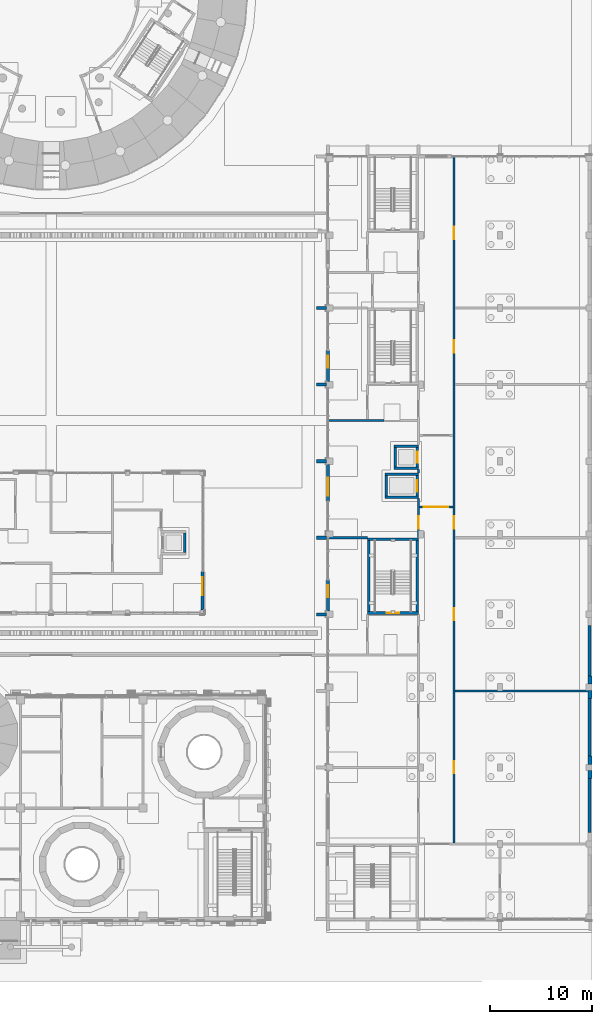
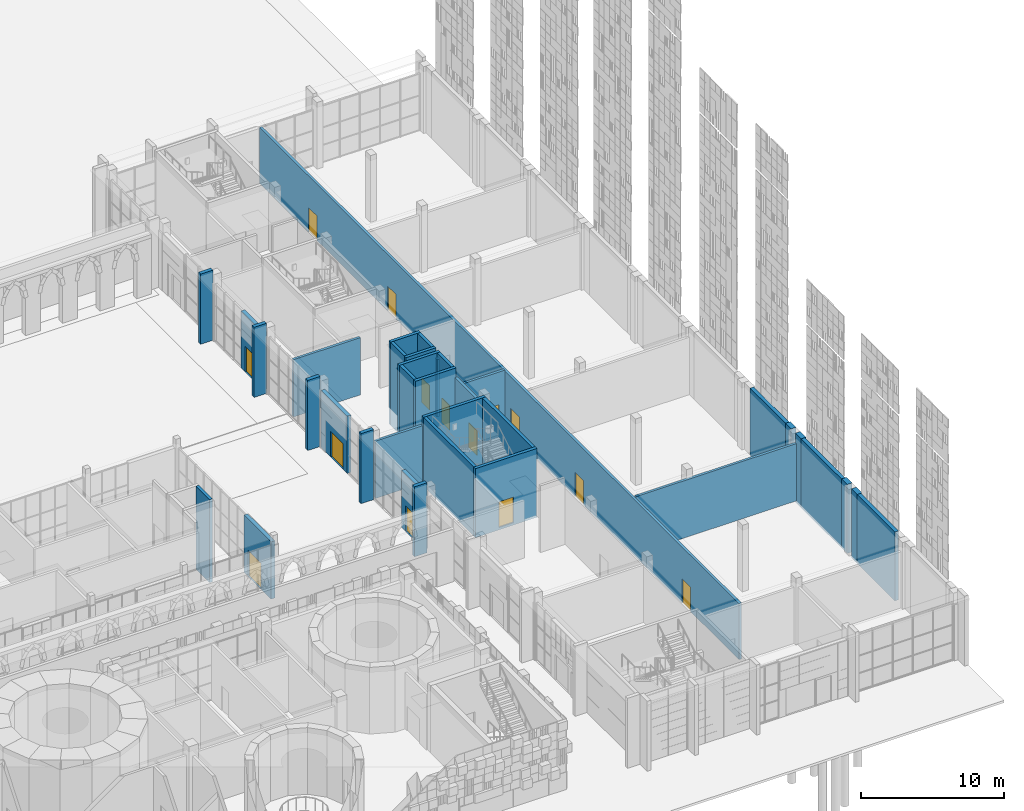
# One storey, part 54 of 125: 36 walls, 14 doors, 14 openings.
"""IFC4 building model written with IfcOpenShell, lengths in metres."""

from ifc_helpers import new_model, si_unit, direction, frame, frame_2d, origin, place, context, subcontext, project, spatial, rectangle, extrude, material, layer, layer_set, type_object, element, fill, save


model = new_model("IFC4")

# Units and contexts
model_context = context("Model", 3, precision=1e-05, world=origin(), true_north=direction((0.0, 1.0)))
body_context = subcontext(model_context, "Body", "Model", "MODEL_VIEW")
ifc_project = project(units=[si_unit("LENGTHUNIT", "METRE"), si_unit("AREAUNIT", "SQUARE_METRE"), si_unit("VOLUMEUNIT", "CUBIC_METRE"), si_unit("PLANEANGLEUNIT", "RADIAN"), si_unit("MASSUNIT", "GRAM", prefix="KILO")], contexts=[model_context])

# Site, building, storey
site_placement = place(None, origin())
site = spatial("IfcSite", under=ifc_project, at=site_placement, CompositionType="ELEMENT")
building_placement = place(site_placement, origin())
building = spatial("IfcBuilding", under=site, at=building_placement, Name="Sun Court Science Centre", CompositionType="ELEMENT")
storey_placement = place(building_placement, origin())
storey = spatial("IfcBuildingStorey", under=building, at=storey_placement, Name="L00", CompositionType="ELEMENT", Elevation=0.0)

# Wall, opening, door
ifc_material_1 = material(Name="Clay masonry", Category="masonry")
ifc_layer_1 = layer(ifc_material_1, 0.300048828125)
ifc_layer_set_1 = layer_set([ifc_layer_1], Name="Clay masonry")
wall_type_1 = type_object("IfcWallType", Name="Clay masonry infill wall 300", PredefinedType="SOLIDWALL", material=ifc_layer_set_1)
wall_1_placement = place(storey_placement, frame((78.14990234375, 36.300048828125, 0.0), z_axis=(0.0, 0.0, 1.0), x_axis=(0.0, 1.0, 0.0)))
wall_1 = element("IfcWall", 1, at=wall_1_placement, inside=storey, type_object=wall_type_1, Name="External infill wall L00 west face 03", PredefinedType="SOLIDWALL", context=body_context, shape_type="SweptSolid", body=[
    extrude(rectangle(XDim=3.10986328125, YDim=0.300048828125, at=frame_2d((1.554931640625, 0.0))), origin(), (0.0, 0.0, 1.0), 4.89990234375),
])
opening_1_placement = place(wall_1_placement, frame((1.35009765625, 0.0, 0.0)))
opening_1 = element("IfcOpeningElement", 2, at=opening_1_placement, cuts=wall_1, Name="Opening D-L00-064", PredefinedType="OPENING", context=body_context, shape_type="SweptSolid", body=[
    extrude(rectangle(XDim=1.199951171875, YDim=2.199951171875, at=frame_2d((0.60009765625, 1.10009765625))), frame((0.0, 0.159912109375, 0.0), z_axis=(0.0, -1.0, 0.0), x_axis=(1.0, 0.0, 0.0)), (0.0, 0.0, 1.0), 0.320068359375),
])
ifc_material_2 = material(Name="Steel and glass", Category="steel")
door_type_1 = type_object("IfcDoorType", Name="Exterior door 1200 x 2200 single", OperationType="SINGLE_SWING_LEFT", PredefinedType="DOOR", material=ifc_material_2)
door_1_placement = place(opening_1_placement, origin())
door_1 = element("IfcDoor", 3, at=door_1_placement, inside=storey, type_object=door_type_1, Name="Exterior door D-L00-064 to the sun court", OperationType="SINGLE_SWING_LEFT", OverallHeight=2.199951171875, OverallWidth=1.199951171875, PredefinedType="DOOR", context=body_context, shape_type="SweptSolid", body=[
    extrude(rectangle(XDim=1.199951171875, YDim=2.199951171875, at=frame_2d((0.60009765625, 1.10009765625))), frame((0.0, 0.02490234375, 0.0), z_axis=(0.0, -1.0, 0.0), x_axis=(1.0, 0.0, 0.0)), (0.0, 0.0, 1.0), 0.050048828125),
])
fill(opening_1, door_1)

wall_2_placement = place(storey_placement, frame((78.14990234375, 47.0400390625, 0.0), z_axis=(0.0, 0.0, 1.0), x_axis=(0.0, 1.0, 0.0)))
wall_2 = element("IfcWall", 4, at=wall_2_placement, inside=storey, type_object=wall_type_1, Name="External infill wall L00 west face 04", PredefinedType="SOLIDWALL", context=body_context, shape_type="SweptSolid", body=[
    extrude(rectangle(XDim=3.659912109375, YDim=0.300048828125, at=frame_2d((1.830078125, 0.0))), origin(), (0.0, 0.0, 1.0), 4.89990234375),
])
opening_2_placement = place(wall_2_placement, frame((0.56005859375, 0.0, 0.0)))
opening_2 = element("IfcOpeningElement", 5, at=opening_2_placement, cuts=wall_2, Name="Opening D-L00-063", PredefinedType="OPENING", context=body_context, shape_type="SweptSolid", body=[
    extrude(rectangle(XDim=1.800048828125, YDim=2.199951171875, at=frame_2d((0.89990234375, 1.10009765625))), frame((0.0, 0.159912109375, 0.0), z_axis=(0.0, -1.0, 0.0), x_axis=(1.0, 0.0, 0.0)), (0.0, 0.0, 1.0), 0.320068359375),
])
ifc_material_3 = material(Name="Steel and glass", Category="steel")
door_type_2 = type_object("IfcDoorType", Name="Exterior door 1800 x 2200 double", OperationType="DOUBLE_DOOR_SINGLE_SWING", PredefinedType="DOOR", material=ifc_material_3)
door_2_placement = place(opening_2_placement, origin())
door_2 = element("IfcDoor", 6, at=door_2_placement, inside=storey, type_object=door_type_2, Name="Exterior door D-L00-063 to the sun court", OperationType="SINGLE_SWING_LEFT", OverallHeight=2.199951171875, OverallWidth=1.800048828125, PredefinedType="DOOR", context=body_context, shape_type="SweptSolid", body=[
    extrude(rectangle(XDim=1.800048828125, YDim=2.199951171875, at=frame_2d((0.89990234375, 1.10009765625))), frame((0.0, 0.02490234375, 0.0), z_axis=(0.0, -1.0, 0.0), x_axis=(1.0, 0.0, 0.0)), (0.0, 0.0, 1.0), 0.050048828125),
])
fill(opening_2, door_2)

wall_3_placement = place(storey_placement, frame((78.14990234375, 58.800048828125, 0.0), z_axis=(0.0, 0.0, 1.0), x_axis=(0.0, 1.0, 0.0)))
wall_3 = element("IfcWall", 7, at=wall_3_placement, inside=storey, type_object=wall_type_1, Name="External infill wall L00 west face 05", PredefinedType="SOLIDWALL", context=body_context, shape_type="SweptSolid", body=[
    extrude(rectangle(XDim=3.10986328125, YDim=0.300048828125, at=frame_2d((1.554931640625, 0.0))), origin(), (0.0, 0.0, 1.0), 4.89990234375),
])
opening_3_placement = place(wall_3_placement, frame((1.35009765625, 0.0, 0.0)))
opening_3 = element("IfcOpeningElement", 8, at=opening_3_placement, cuts=wall_3, Name="Opening D-L00-065", PredefinedType="OPENING", context=body_context, shape_type="SweptSolid", body=[
    extrude(rectangle(XDim=1.199951171875, YDim=2.199951171875, at=frame_2d((0.60009765625, 1.10009765625))), frame((0.0, 0.159912109375, 0.0), z_axis=(0.0, -1.0, 0.0), x_axis=(1.0, 0.0, 0.0)), (0.0, 0.0, 1.0), 0.320068359375),
])
door_3_placement = place(opening_3_placement, origin())
door_3 = element("IfcDoor", 9, at=door_3_placement, inside=storey, type_object=door_type_1, Name="Exterior door D-L00-065 to the sun court", OperationType="SINGLE_SWING_LEFT", OverallHeight=2.199951171875, OverallWidth=1.199951171875, PredefinedType="DOOR", context=body_context, shape_type="SweptSolid", body=[
    extrude(rectangle(XDim=1.199951171875, YDim=2.199951171875, at=frame_2d((0.60009765625, 1.10009765625))), frame((0.0, 0.02490234375, 0.0), z_axis=(0.0, -1.0, 0.0), x_axis=(1.0, 0.0, 0.0)), (0.0, 0.0, 1.0), 0.050048828125),
])
fill(opening_3, door_3)

wall_4_placement = place(storey_placement, frame((65.85009765625, 40.2099609375, 0.0), z_axis=(0.0, 0.0, 1.0), x_axis=(0.0, -1.0, 0.0)))
wall_4 = element("IfcWall", 10, at=wall_4_placement, inside=storey, type_object=wall_type_1, Name="External infill wall L00 east face 01", PredefinedType="SOLIDWALL", context=body_context, shape_type="SweptSolid", body=[
    extrude(rectangle(XDim=3.81005859375, YDim=0.300048828125, at=frame_2d((1.905029296875, 0.0))), origin(), (0.0, 0.0, 1.0), 4.89990234375),
])
opening_4_placement = place(wall_4_placement, frame((0.56005859375, 0.0, 0.0)))
opening_4 = element("IfcOpeningElement", 11, at=opening_4_placement, cuts=wall_4, Name="Opening D-L00-109", PredefinedType="OPENING", context=body_context, shape_type="SweptSolid", body=[
    extrude(rectangle(XDim=1.800048828125, YDim=2.199951171875, at=frame_2d((0.89990234375, 1.10009765625))), frame((0.0, 0.159912109375, 0.0), z_axis=(0.0, -1.0, 0.0), x_axis=(1.0, 0.0, 0.0)), (0.0, 0.0, 1.0), 0.320068359375),
])
door_4_placement = place(opening_4_placement, origin())
door_4 = element("IfcDoor", 12, at=door_4_placement, inside=storey, type_object=door_type_2, Name="Exterior door D-L00-109 to the sun court", OperationType="SINGLE_SWING_LEFT", OverallHeight=2.199951171875, OverallWidth=1.800048828125, PredefinedType="DOOR", context=body_context, shape_type="SweptSolid", body=[
    extrude(rectangle(XDim=1.800048828125, YDim=2.199951171875, at=frame_2d((0.89990234375, 1.10009765625))), frame((0.0, 0.02490234375, 0.0), z_axis=(0.0, -1.0, 0.0), x_axis=(1.0, 0.0, 0.0)), (0.0, 0.0, 1.0), 0.050048828125),
])
fill(opening_4, door_4)

# Walls
ifc_material_4 = material(Name="Concrete C30/37", Category="concrete")
ifc_layer_2 = layer(ifc_material_4, 0.300048828125)
ifc_layer_set_2 = layer_set([ifc_layer_2], Name="Concrete C30/37")
wall_type_2 = type_object("IfcWallType", Name="Facade fin RC 300", PredefinedType="SOLIDWALL", material=ifc_layer_set_2)
for number, where, z_axis, x_axis, name in (
    (13, (77.0, 36.0, 0.0), (0.0, 0.0, 1.0), (1.0, 0.0, 0.0), "Facade fin 05 L00"),
    (14, (77.0, 43.5, 0.0), (0.0, 0.0, 1.0), (1.0, 0.0, 0.0), "Facade fin 06 L00"),
    (15, (77.0, 51.0, 0.0), (0.0, 0.0, 1.0), (1.0, 0.0, 0.0), "Facade fin 07 L00"),
    (16, (77.0, 58.5, 0.0), (0.0, 0.0, 1.0), (1.0, 0.0, 0.0), "Facade fin 08 L00"),
    (17, (77.0, 66.0, 0.0), (0.0, 0.0, 1.0), (1.0, 0.0, 0.0), "Facade fin 09 L00"),
):
    element("IfcWall", number, at=place(storey_placement, frame(where, z_axis=z_axis, x_axis=x_axis)), inside=storey, type_object=wall_type_2, Name=name, PredefinedType="SOLIDWALL", context=body_context, shape_type="SweptSolid", body=[
        extrude(rectangle(XDim=1.0, YDim=0.300048828125, at=frame_2d((0.5, 0.0))), origin(), (0.0, 0.0, 1.0), 6.0),
    ])
ifc_material_5 = material(Name="Concrete block", Category="concrete")
ifc_layer_3 = layer(ifc_material_5, 0.199951171875)
ifc_layer_set_3 = layer_set([ifc_layer_3], Name="Concrete block")
wall_type_3 = type_object("IfcWallType", Name="Partition 200 block EI60", PredefinedType="PARTITIONING", material=ifc_layer_set_3)
wall_5_placement = place(storey_placement, frame((78.199951171875, 43.5, 0.0), z_axis=(0.0, 0.0, 1.0), x_axis=(1.0, 0.0, 0.0)))
element("IfcWall", 18, at=wall_5_placement, inside=storey, type_object=wall_type_3, Name="L00 partition 006", PredefinedType="PARTITIONING", context=body_context, shape_type="SweptSolid", body=[
    extrude(rectangle(XDim=3.798095703125, YDim=0.199951171875, at=frame_2d((1.89892578125, 0.0))), origin(), (0.0, 0.0, 1.0), 4.89990234375),
])
wall_6_placement = place(storey_placement, frame((78.199951171875, 55.0, 0.0), z_axis=(0.0, 0.0, 1.0), x_axis=(1.0, 0.0, 0.0)))
element("IfcWall", 19, at=wall_6_placement, inside=storey, type_object=wall_type_3, Name="L00 partition 010", PredefinedType="PARTITIONING", context=body_context, shape_type="SweptSolid", body=[
    extrude(rectangle(XDim=5.400146484375, YDim=0.199951171875, at=frame_2d((2.7001953125, 0.0))), origin(), (0.0, 0.0, 1.0), 4.89990234375),
])
wall_7_placement = place(storey_placement, frame((87.0, 49.85205078125, 0.0), z_axis=(0.0, 0.0, 1.0), x_axis=(0.0, 1.0, 0.0)))
element("IfcWall", 20, at=wall_7_placement, inside=storey, type_object=wall_type_3, Name="L00 partition 021", PredefinedType="PARTITIONING", context=body_context, shape_type="SweptSolid", body=[
    extrude(rectangle(XDim=0.33349609375, YDim=0.199951171875, at=frame_2d((0.166748046875, 0.0))), origin(), (0.0, 0.0, 1.0), 4.89990234375),
])

# Wall, opening, door
ifc_material_6 = material(Name="Concrete block", Category="concrete")
ifc_layer_4 = layer(ifc_material_6, 0.199951171875)
ifc_layer_set_4 = layer_set([ifc_layer_4], Name="Concrete block")
wall_type_4 = type_object("IfcWallType", Name="Partition 200 corridor block EI120", PredefinedType="PARTITIONING", material=ifc_layer_set_4)
wall_8_placement = place(storey_placement, frame((90.39990234375, 46.5, 0.0), z_axis=(0.0, 0.0, 1.0), x_axis=(-1.0, 0.0, 0.0)))
wall_8 = element("IfcWall", 21, at=wall_8_placement, inside=storey, type_object=wall_type_4, Name="L00 partition 008", PredefinedType="PARTITIONING", context=body_context, shape_type="SweptSolid", body=[
    extrude(rectangle(XDim=3.2998046875, YDim=0.199951171875, at=frame_2d((1.64990234375, 0.0))), origin(), (0.0, 0.0, 1.0), 4.89990234375),
])
opening_5_placement = place(wall_8_placement, frame((0.47705078125, 0.0, 0.0)))
opening_5 = element("IfcOpeningElement", 22, at=opening_5_placement, cuts=wall_8, Name="Opening D-L00-035", PredefinedType="OPENING", context=body_context, shape_type="SweptSolid", body=[
    extrude(rectangle(XDim=2.39990234375, YDim=2.10009765625, at=frame_2d((1.199951171875, 1.050048828125))), frame((0.0, 0.10986328125, 0.0), z_axis=(0.0, -1.0, 0.0), x_axis=(1.0, 0.0, 0.0)), (0.0, 0.0, 1.0), 0.219970703125),
])
ifc_material_7 = material(Name="Steel", Category="steel")
door_type_3 = type_object("IfcDoorType", Name="Door 2400x2100 double leaf FD60", OperationType="DOUBLE_DOOR_SINGLE_SWING", PredefinedType="DOOR", material=ifc_material_7)
door_5_placement = place(opening_5_placement, origin())
door_5 = element("IfcDoor", 23, at=door_5_placement, inside=storey, type_object=door_type_3, Name="Door D-L00-035", OperationType="DOUBLE_DOOR_SINGLE_SWING", OverallHeight=2.10009765625, OverallWidth=2.39990234375, PredefinedType="DOOR", context=body_context, shape_type="SweptSolid", body=[
    extrude(rectangle(XDim=2.39990234375, YDim=2.10009765625, at=frame_2d((1.199951171875, 1.050048828125))), frame((0.0, 0.02490234375, 0.0), z_axis=(0.0, -1.0, 0.0), x_axis=(1.0, 0.0, 0.0)), (0.0, 0.0, 1.0), 0.050048828125),
])
fill(opening_5, door_5)

# Wall, openings, doors
wall_9_placement = place(storey_placement, frame((90.5, 80.800048828125, 0.0), z_axis=(0.0, 0.0, 1.0), x_axis=(0.0, -1.0, 0.0)))
wall_9 = element("IfcWall", 24, at=wall_9_placement, inside=storey, type_object=wall_type_4, Name="L00 partition 018", PredefinedType="PARTITIONING", context=body_context, shape_type="SweptSolid", body=[
    extrude(rectangle(XDim=67.199951171875, YDim=0.199951171875, at=frame_2d((33.60009765625, 0.0))), origin(), (0.0, 0.0, 1.0), 4.800048828125),
])
opening_6_placement = place(wall_9_placement, frame((59.199951171875, 0.0, 0.0)))
opening_6 = element("IfcOpeningElement", 25, at=opening_6_placement, cuts=wall_9, Name="Opening D-L00-052", PredefinedType="OPENING", context=body_context, shape_type="SweptSolid", body=[
    extrude(rectangle(XDim=1.199951171875, YDim=2.10009765625, at=frame_2d((0.60009765625, 1.050048828125))), frame((0.0, 0.10986328125, 0.0), z_axis=(0.0, -1.0, 0.0), x_axis=(1.0, 0.0, 0.0)), (0.0, 0.0, 1.0), 0.219970703125),
])
opening_7_placement = place(wall_9_placement, frame((44.199951171875, 0.0, 0.0)))
opening_7 = element("IfcOpeningElement", 26, at=opening_7_placement, cuts=wall_9, Name="Opening D-L00-053", PredefinedType="OPENING", context=body_context, shape_type="SweptSolid", body=[
    extrude(rectangle(XDim=1.199951171875, YDim=2.10009765625, at=frame_2d((0.60009765625, 1.050048828125))), frame((0.0, 0.10986328125, 0.0), z_axis=(0.0, -1.0, 0.0), x_axis=(1.0, 0.0, 0.0)), (0.0, 0.0, 1.0), 0.219970703125),
])
opening_8_placement = place(wall_9_placement, frame((35.198974609375, 0.0, 0.0)))
opening_8 = element("IfcOpeningElement", 27, at=opening_8_placement, cuts=wall_9, Name="Opening D-L00-054", PredefinedType="OPENING", context=body_context, shape_type="SweptSolid", body=[
    extrude(rectangle(XDim=1.199951171875, YDim=2.10009765625, at=frame_2d((0.60009765625, 1.050048828125))), frame((0.0, 0.10986328125, 0.0), z_axis=(0.0, -1.0, 0.0), x_axis=(1.0, 0.0, 0.0)), (0.0, 0.0, 1.0), 0.219970703125),
])
opening_9_placement = place(wall_9_placement, frame((17.949951171875, 0.0, 0.0)))
opening_9 = element("IfcOpeningElement", 28, at=opening_9_placement, cuts=wall_9, Name="Opening D-L00-055", PredefinedType="OPENING", context=body_context, shape_type="SweptSolid", body=[
    extrude(rectangle(XDim=1.199951171875, YDim=2.10009765625, at=frame_2d((0.60009765625, 1.050048828125))), frame((0.0, 0.10986328125, 0.0), z_axis=(0.0, -1.0, 0.0), x_axis=(1.0, 0.0, 0.0)), (0.0, 0.0, 1.0), 0.219970703125),
])
opening_10_placement = place(wall_9_placement, frame((6.824951171875, 0.0, 0.0)))
opening_10 = element("IfcOpeningElement", 29, at=opening_10_placement, cuts=wall_9, Name="Opening D-L00-056", PredefinedType="OPENING", context=body_context, shape_type="SweptSolid", body=[
    extrude(rectangle(XDim=1.199951171875, YDim=2.10009765625, at=frame_2d((0.60009765625, 1.050048828125))), frame((0.0, 0.10986328125, 0.0), z_axis=(0.0, -1.0, 0.0), x_axis=(1.0, 0.0, 0.0)), (0.0, 0.0, 1.0), 0.219970703125),
])
ifc_material_8 = material(Name="Steel", Category="steel")
door_type_4 = type_object("IfcDoorType", Name="Door 1200x2100 single leaf FD60", OperationType="NOTDEFINED", PredefinedType="DOOR", material=ifc_material_8)
door_6_placement = place(opening_6_placement, origin())
door_6 = element("IfcDoor", 30, at=door_6_placement, inside=storey, type_object=door_type_4, Name="Door D-L00-052", OperationType="SINGLE_SWING_LEFT", OverallHeight=2.10009765625, OverallWidth=1.199951171875, PredefinedType="DOOR", context=body_context, shape_type="SweptSolid", body=[
    extrude(rectangle(XDim=1.199951171875, YDim=2.10009765625, at=frame_2d((0.60009765625, 1.050048828125))), frame((0.0, 0.02490234375, 0.0), z_axis=(0.0, -1.0, 0.0), x_axis=(1.0, 0.0, 0.0)), (0.0, 0.0, 1.0), 0.050048828125),
])
fill(opening_6, door_6)
door_7_placement = place(opening_7_placement, origin())
door_7 = element("IfcDoor", 31, at=door_7_placement, inside=storey, type_object=door_type_4, Name="Door D-L00-053", OperationType="SINGLE_SWING_LEFT", OverallHeight=2.10009765625, OverallWidth=1.199951171875, PredefinedType="DOOR", context=body_context, shape_type="SweptSolid", body=[
    extrude(rectangle(XDim=1.199951171875, YDim=2.10009765625, at=frame_2d((0.60009765625, 1.050048828125))), frame((0.0, 0.02490234375, 0.0), z_axis=(0.0, -1.0, 0.0), x_axis=(1.0, 0.0, 0.0)), (0.0, 0.0, 1.0), 0.050048828125),
])
fill(opening_7, door_7)
door_8_placement = place(opening_8_placement, origin())
door_8 = element("IfcDoor", 32, at=door_8_placement, inside=storey, type_object=door_type_4, Name="Door D-L00-054", OperationType="SINGLE_SWING_LEFT", OverallHeight=2.10009765625, OverallWidth=1.199951171875, PredefinedType="DOOR", context=body_context, shape_type="SweptSolid", body=[
    extrude(rectangle(XDim=1.199951171875, YDim=2.10009765625, at=frame_2d((0.60009765625, 1.050048828125))), frame((0.0, 0.02490234375, 0.0), z_axis=(0.0, -1.0, 0.0), x_axis=(1.0, 0.0, 0.0)), (0.0, 0.0, 1.0), 0.050048828125),
])
fill(opening_8, door_8)
door_9_placement = place(opening_9_placement, origin())
door_9 = element("IfcDoor", 33, at=door_9_placement, inside=storey, type_object=door_type_4, Name="Door D-L00-055", OperationType="SINGLE_SWING_RIGHT", OverallHeight=2.10009765625, OverallWidth=1.199951171875, PredefinedType="DOOR", context=body_context, shape_type="SweptSolid", body=[
    extrude(rectangle(XDim=1.199951171875, YDim=2.10009765625, at=frame_2d((0.60009765625, 1.050048828125))), frame((0.0, 0.02490234375, 0.0), z_axis=(0.0, -1.0, 0.0), x_axis=(1.0, 0.0, 0.0)), (0.0, 0.0, 1.0), 0.050048828125),
])
fill(opening_9, door_9)
door_10_placement = place(opening_10_placement, origin())
door_10 = element("IfcDoor", 34, at=door_10_placement, inside=storey, type_object=door_type_4, Name="Door D-L00-056", OperationType="SINGLE_SWING_RIGHT", OverallHeight=2.10009765625, OverallWidth=1.199951171875, PredefinedType="DOOR", context=body_context, shape_type="SweptSolid", body=[
    extrude(rectangle(XDim=1.199951171875, YDim=2.10009765625, at=frame_2d((0.60009765625, 1.050048828125))), frame((0.0, 0.02490234375, 0.0), z_axis=(0.0, -1.0, 0.0), x_axis=(1.0, 0.0, 0.0)), (0.0, 0.0, 1.0), 0.050048828125),
])
fill(opening_10, door_10)

# Wall, opening, door
wall_10_placement = place(storey_placement, frame((87.0, 43.501953125, 0.0), z_axis=(0.0, 0.0, 1.0), x_axis=(0.0, 1.0, 0.0)))
wall_10 = element("IfcWall", 35, at=wall_10_placement, inside=storey, type_object=wall_type_4, Name="L00 partition 020", PredefinedType="PARTITIONING", context=body_context, shape_type="SweptSolid", body=[
    extrude(rectangle(XDim=3.845947265625, YDim=0.199951171875, at=frame_2d((1.9228515625, 0.0))), origin(), (0.0, 0.0, 1.0), 4.89990234375),
])
opening_11_placement = place(wall_10_placement, frame((0.89892578125, 0.0, 0.0)))
opening_11 = element("IfcOpeningElement", 36, at=opening_11_placement, cuts=wall_10, Name="Opening D-L00-047", PredefinedType="OPENING", context=body_context, shape_type="SweptSolid", body=[
    extrude(rectangle(XDim=1.199951171875, YDim=2.10009765625, at=frame_2d((0.60009765625, 1.050048828125))), frame((0.0, 0.10986328125, 0.0), z_axis=(0.0, -1.0, 0.0), x_axis=(1.0, 0.0, 0.0)), (0.0, 0.0, 1.0), 0.219970703125),
])
door_11_placement = place(opening_11_placement, origin())
door_11 = element("IfcDoor", 37, at=door_11_placement, inside=storey, type_object=door_type_4, Name="Door D-L00-047", OperationType="SINGLE_SWING_RIGHT", OverallHeight=2.10009765625, OverallWidth=1.199951171875, PredefinedType="DOOR", context=body_context, shape_type="SweptSolid", body=[
    extrude(rectangle(XDim=1.199951171875, YDim=2.10009765625, at=frame_2d((0.60009765625, 1.050048828125))), frame((0.0, 0.02490234375, 0.0), z_axis=(0.0, -1.0, 0.0), x_axis=(1.0, 0.0, 0.0)), (0.0, 0.0, 1.0), 0.050048828125),
])
fill(opening_11, door_11)

# Walls
ifc_material_9 = material(Name="Gypsum board")
ifc_layer_5 = layer(ifc_material_9, 0.199951171875)
ifc_layer_set_5 = layer_set([ifc_layer_5], Name="Gypsum board")
wall_type_5 = type_object("IfcWallType", Name="Partition 200 stud EI30", PredefinedType="PARTITIONING", material=ifc_layer_set_5)
wall_11_placement = place(storey_placement, frame((90.60009765625, 28.5, 0.0), z_axis=(0.0, 0.0, 1.0), x_axis=(1.0, 0.0, 0.0)))
element("IfcWall", 38, at=wall_11_placement, inside=storey, type_object=wall_type_5, Name="L00 partition 003", PredefinedType="PARTITIONING", context=body_context, shape_type="SweptSolid", body=[
    extrude(rectangle(XDim=12.997802734375, YDim=0.199951171875, at=frame_2d((6.4990234375, 0.0))), origin(), (0.0, 0.0, 1.0), 4.89990234375),
])
ifc_material_10 = material(Name="Concrete C30/37", Category="concrete")
ifc_layer_6 = layer(ifc_material_10, 0.39990234375)
ifc_layer_set_6 = layer_set([ifc_layer_6], Name="Concrete C30/37")
wall_type_6 = type_object("IfcWallType", Name="RC party wall exterior 400", PredefinedType="SOLIDWALL", material=ifc_layer_set_6)
for number, where, z_axis, x_axis, name in (
    (39, (103.800048828125, 19.89990234375, -0.199951171875), (0.0, 0.0, 1.0), (0.0, 1.0, 0.0), "East party wall L00"),
    (40, (103.800048828125, 21.300048828125, -0.199951171875), (0.0, 0.0, 1.0), (0.0, 1.0, 0.0), "East party wall L00"),
    (41, (103.800048828125, 27.75, -0.199951171875), (0.0, 0.0, 1.0), (0.0, 1.0, 0.0), "East party wall L00"),
    (42, (103.800048828125, 29.14990234375, -0.199951171875), (0.0, 0.0, 1.0), (0.0, 1.0, 0.0), "East party wall L00"),
):
    element("IfcWall", number, at=place(storey_placement, frame(where, z_axis=z_axis, x_axis=x_axis)), inside=storey, type_object=wall_type_6, Name=name, PredefinedType="SOLIDWALL", context=body_context, shape_type="SweptSolid", body=[
        extrude(rectangle(XDim=0.800048828125, YDim=0.39990234375, at=frame_2d((0.39990234375, 0.0))), origin(), (0.0, 0.0, 1.0), 5.89990234375),
    ])
ifc_material_11 = material(Name="Concrete C30/37", Category="concrete")
ifc_layer_7 = layer(ifc_material_11, 0.300048828125)
ifc_layer_set_7 = layer_set([ifc_layer_7], Name="Concrete C30/37")
wall_type_7 = type_object("IfcWallType", Name="RC party wall panel exterior 300", PredefinedType="SOLIDWALL", material=ifc_layer_set_7)
wall_12_placement = place(storey_placement, frame((103.75, 14.60009765625, -0.199951171875), z_axis=(0.0, 0.0, 1.0), x_axis=(0.0, 1.0, 0.0)))
element("IfcWall", 43, at=wall_12_placement, inside=storey, type_object=wall_type_7, Name="East party wall L00 panel", PredefinedType="SOLIDWALL", context=body_context, shape_type="SweptSolid", body=[
    extrude(rectangle(XDim=5.2998046875, YDim=0.300048828125, at=frame_2d((2.64990234375, 0.0))), origin(), (0.0, 0.0, 1.0), 5.89990234375),
])
wall_13_placement = place(storey_placement, frame((103.75, 22.10009765625, -0.199951171875), z_axis=(0.0, 0.0, 1.0), x_axis=(0.0, 1.0, 0.0)))
element("IfcWall", 44, at=wall_13_placement, inside=storey, type_object=wall_type_7, Name="East party wall L00 panel", PredefinedType="SOLIDWALL", context=body_context, shape_type="SweptSolid", body=[
    extrude(rectangle(XDim=5.64990234375, YDim=0.300048828125, at=frame_2d((2.824951171875, 0.0))), origin(), (0.0, 0.0, 1.0), 5.89990234375),
])
wall_14_placement = place(storey_placement, frame((103.75, 29.949951171875, -0.199951171875), z_axis=(0.0, 0.0, 1.0), x_axis=(0.0, 1.0, 0.0)))
element("IfcWall", 45, at=wall_14_placement, inside=storey, type_object=wall_type_7, Name="East party wall L00 panel", PredefinedType="SOLIDWALL", context=body_context, shape_type="SweptSolid", body=[
    extrude(rectangle(XDim=4.949951171875, YDim=0.300048828125, at=frame_2d((2.47509765625, 0.0))), origin(), (0.0, 0.0, 1.0), 5.89990234375),
])
ifc_material_12 = material(Name="Concrete C30/37", Category="concrete")
ifc_layer_8 = layer(ifc_material_12, 0.25)
ifc_layer_set_8 = layer_set([ifc_layer_8], Name="Concrete C30/37")
wall_type_8 = type_object("IfcWallType", Name="RC shaft wall 250", PredefinedType="SHEAR", material=ifc_layer_set_8)
wall_15_placement = place(storey_placement, frame((83.699951171875, 47.47509765625, -1.39990234375), z_axis=(0.0, 0.0, 1.0), x_axis=(1.0, 0.0, 0.0)))
element("IfcWall", 46, at=wall_15_placement, inside=storey, type_object=wall_type_8, Name="Lift core LL1 wall S, L00", PredefinedType="SHEAR", context=body_context, shape_type="SweptSolid", body=[
    extrude(rectangle(XDim=3.300048828125, YDim=0.25, at=frame_2d((1.64990234375, 0.0))), origin(), (0.0, 0.0, 1.0), 7.099853515625),
])

# Wall, opening, door
wall_16_placement = place(storey_placement, frame((86.875, 47.60009765625, -1.39990234375), z_axis=(0.0, 0.0, 1.0), x_axis=(0.0, 1.0, 0.0)))
wall_16 = element("IfcWall", 47, at=wall_16_placement, inside=storey, type_object=wall_type_8, Name="Lift core LL1 wall E, L00", PredefinedType="SHEAR", context=body_context, shape_type="SweptSolid", body=[
    extrude(rectangle(XDim=2.0, YDim=0.25, at=frame_2d((1.0, 0.0))), origin(), (0.0, 0.0, 1.0), 7.099853515625),
])
opening_12_placement = place(wall_16_placement, frame((0.424072265625, 0.0, 1.39990234375)))
opening_12 = element("IfcOpeningElement", 48, at=opening_12_placement, cuts=wall_16, Name="Opening D-L00-033", PredefinedType="OPENING", context=body_context, shape_type="SweptSolid", body=[
    extrude(rectangle(XDim=1.10009765625, YDim=2.10009765625, at=frame_2d((0.550048828125, 1.050048828125))), frame((0.0, 0.135009765625, 0.0), z_axis=(0.0, -1.0, 0.0), x_axis=(1.0, 0.0, 0.0)), (0.0, 0.0, 1.0), 0.27001953125),
])
ifc_material_13 = material(Name="Steel", Category="steel")
door_type_5 = type_object("IfcDoorType", Name="Lift landing door 1100x2100 sliding", OperationType="DOUBLE_DOOR_SLIDING", PredefinedType="DOOR", material=ifc_material_13)
door_12_placement = place(opening_12_placement, origin())
door_12 = element("IfcDoor", 49, at=door_12_placement, inside=storey, type_object=door_type_5, Name="Lift landing door D-L00-033", OperationType="DOUBLE_DOOR_SLIDING", OverallHeight=2.10009765625, OverallWidth=1.10009765625, PredefinedType="DOOR", context=body_context, shape_type="SweptSolid", body=[
    extrude(rectangle(XDim=1.10009765625, YDim=2.10009765625, at=frame_2d((0.550048828125, 1.050048828125))), frame((0.0, 0.02490234375, 0.0), z_axis=(0.0, -1.0, 0.0), x_axis=(1.0, 0.0, 0.0)), (0.0, 0.0, 1.0), 0.050048828125),
])
fill(opening_12, door_12)

# Walls
wall_17_placement = place(storey_placement, frame((83.699951171875, 49.72509765625, -1.39990234375), z_axis=(0.0, 0.0, 1.0), x_axis=(1.0, 0.0, 0.0)))
element("IfcWall", 50, at=wall_17_placement, inside=storey, type_object=wall_type_8, Name="Lift core LL1 wall N, L00", PredefinedType="SHEAR", context=body_context, shape_type="SweptSolid", body=[
    extrude(rectangle(XDim=3.300048828125, YDim=0.25, at=frame_2d((1.64990234375, 0.0))), origin(), (0.0, 0.0, 1.0), 7.099853515625),
])
wall_18_placement = place(storey_placement, frame((83.824951171875, 47.60009765625, -1.39990234375), z_axis=(0.0, 0.0, 1.0), x_axis=(0.0, 1.0, 0.0)))
element("IfcWall", 51, at=wall_18_placement, inside=storey, type_object=wall_type_8, Name="Lift core LL1 wall W, L00", PredefinedType="SHEAR", context=body_context, shape_type="SweptSolid", body=[
    extrude(rectangle(XDim=2.0, YDim=0.25, at=frame_2d((1.0, 0.0))), origin(), (0.0, 0.0, 1.0), 7.099853515625),
])
wall_19_placement = place(storey_placement, frame((84.577392578125, 50.3125, -1.39990234375), z_axis=(0.0, 0.0, 1.0), x_axis=(1.0, 0.0, 0.0)))
element("IfcWall", 52, at=wall_19_placement, inside=storey, type_object=wall_type_8, Name="Lift core LL2 wall S, L00", PredefinedType="SHEAR", context=body_context, shape_type="SweptSolid", body=[
    extrude(rectangle(XDim=2.425048828125, YDim=0.25, at=frame_2d((1.21240234375, 0.0))), origin(), (0.0, 0.0, 1.0), 7.099853515625),
])

# Wall, opening, door
wall_20_placement = place(storey_placement, frame((86.87744140625, 50.4375, -1.39990234375), z_axis=(0.0, 0.0, 1.0), x_axis=(0.0, 1.0, 0.0)))
wall_20 = element("IfcWall", 53, at=wall_20_placement, inside=storey, type_object=wall_type_8, Name="Lift core LL2 wall E, L00", PredefinedType="SHEAR", context=body_context, shape_type="SweptSolid", body=[
    extrude(rectangle(XDim=1.925048828125, YDim=0.25, at=frame_2d((0.96240234375, 0.0))), origin(), (0.0, 0.0, 1.0), 7.099853515625),
])
opening_13_placement = place(wall_20_placement, frame((0.41259765625, 0.0, 1.39990234375)))
opening_13 = element("IfcOpeningElement", 54, at=opening_13_placement, cuts=wall_20, Name="Opening D-L00-034", PredefinedType="OPENING", context=body_context, shape_type="SweptSolid", body=[
    extrude(rectangle(XDim=1.10009765625, YDim=2.10009765625, at=frame_2d((0.550048828125, 1.050048828125))), frame((0.0, 0.135009765625, 0.0), z_axis=(0.0, -1.0, 0.0), x_axis=(1.0, 0.0, 0.0)), (0.0, 0.0, 1.0), 0.27001953125),
])
door_13_placement = place(opening_13_placement, origin())
door_13 = element("IfcDoor", 55, at=door_13_placement, inside=storey, type_object=door_type_5, Name="Lift landing door D-L00-034", OperationType="DOUBLE_DOOR_SLIDING", OverallHeight=2.10009765625, OverallWidth=1.10009765625, PredefinedType="DOOR", context=body_context, shape_type="SweptSolid", body=[
    extrude(rectangle(XDim=1.10009765625, YDim=2.10009765625, at=frame_2d((0.550048828125, 1.050048828125))), frame((0.0, 0.02490234375, 0.0), z_axis=(0.0, -1.0, 0.0), x_axis=(1.0, 0.0, 0.0)), (0.0, 0.0, 1.0), 0.050048828125),
])
fill(opening_13, door_13)

# Walls
wall_21_placement = place(storey_placement, frame((84.577392578125, 52.487548828125, -1.39990234375), z_axis=(0.0, 0.0, 1.0), x_axis=(1.0, 0.0, 0.0)))
element("IfcWall", 56, at=wall_21_placement, inside=storey, type_object=wall_type_8, Name="Lift core LL2 wall N, L00", PredefinedType="SHEAR", context=body_context, shape_type="SweptSolid", body=[
    extrude(rectangle(XDim=2.425048828125, YDim=0.25, at=frame_2d((1.21240234375, 0.0))), origin(), (0.0, 0.0, 1.0), 7.099853515625),
])
wall_22_placement = place(storey_placement, frame((84.702392578125, 50.4375, -1.39990234375), z_axis=(0.0, 0.0, 1.0), x_axis=(0.0, 1.0, 0.0)))
element("IfcWall", 57, at=wall_22_placement, inside=storey, type_object=wall_type_8, Name="Lift core LL2 wall W, L00", PredefinedType="SHEAR", context=body_context, shape_type="SweptSolid", body=[
    extrude(rectangle(XDim=1.925048828125, YDim=0.25, at=frame_2d((0.96240234375, 0.0))), origin(), (0.0, 0.0, 1.0), 7.099853515625),
])
wall_23_placement = place(storey_placement, frame((64.08740234375, 42.03759765625, -1.39990234375), z_axis=(0.0, 0.0, 1.0), x_axis=(0.0, 1.0, 0.0)))
element("IfcWall", 58, at=wall_23_placement, inside=storey, type_object=wall_type_8, Name="Lift core LP1 wall E, L00", PredefinedType="SHEAR", context=body_context, shape_type="SweptSolid", body=[
    extrude(rectangle(XDim=1.9248046875, YDim=0.25, at=frame_2d((0.96240234375, 0.0))), origin(), (0.0, 0.0, 1.0), 7.099853515625),
])

# Wall, opening, door
ifc_material_14 = material(Name="Concrete C30/37", Category="concrete")
ifc_layer_9 = layer(ifc_material_14, 0.25)
ifc_layer_set_9 = layer_set([ifc_layer_9], Name="Concrete C30/37")
wall_type_9 = type_object("IfcWallType", Name="RC stair core wall 250", PredefinedType="SHEAR", material=ifc_layer_set_9)
wall_24_placement = place(storey_placement, frame((82.0, 36.125, -0.199951171875), z_axis=(0.0, 0.0, 1.0), x_axis=(1.0, 0.0, 0.0)))
wall_24 = element("IfcWall", 59, at=wall_24_placement, inside=storey, type_object=wall_type_9, Name="Stair core SL2 wall S, L00", PredefinedType="SHEAR", context=body_context, shape_type="SweptSolid", body=[
    extrude(rectangle(XDim=5.0, YDim=0.25, at=frame_2d((2.5, 0.0))), origin(), (0.0, 0.0, 1.0), 5.89990234375),
])
opening_14_placement = place(wall_24_placement, frame((1.89990234375, 0.0, 0.199951171875)))
opening_14 = element("IfcOpeningElement", 60, at=opening_14_placement, cuts=wall_24, Name="Opening D-L00-036", PredefinedType="OPENING", context=body_context, shape_type="SweptSolid", body=[
    extrude(rectangle(XDim=1.199951171875, YDim=2.199951171875, at=frame_2d((0.60009765625, 1.10009765625))), frame((0.0, 0.135009765625, 0.0), z_axis=(0.0, -1.0, 0.0), x_axis=(1.0, 0.0, 0.0)), (0.0, 0.0, 1.0), 0.27001953125),
])
ifc_material_15 = material(Name="Steel", Category="steel")
door_type_6 = type_object("IfcDoorType", Name="Door 1200x2200 single leaf FD60", OperationType="NOTDEFINED", PredefinedType="DOOR", material=ifc_material_15)
door_14_placement = place(opening_14_placement, origin())
door_14 = element("IfcDoor", 61, at=door_14_placement, inside=storey, type_object=door_type_6, Name="Door D-L00-036", OperationType="SINGLE_SWING_LEFT", OverallHeight=2.199951171875, OverallWidth=1.199951171875, PredefinedType="DOOR", context=body_context, shape_type="SweptSolid", body=[
    extrude(rectangle(XDim=1.199951171875, YDim=2.199951171875, at=frame_2d((0.60009765625, 1.10009765625))), frame((0.0, 0.02490234375, 0.0), z_axis=(0.0, -1.0, 0.0), x_axis=(1.0, 0.0, 0.0)), (0.0, 0.0, 1.0), 0.050048828125),
])
fill(opening_14, door_14)

# Walls
wall_25_placement = place(storey_placement, frame((86.875, 36.25, -0.199951171875), z_axis=(0.0, 0.0, 1.0), x_axis=(0.0, 1.0, 0.0)))
element("IfcWall", 62, at=wall_25_placement, inside=storey, type_object=wall_type_9, Name="Stair core SL2 wall E, L00", PredefinedType="SHEAR", context=body_context, shape_type="SweptSolid", body=[
    extrude(rectangle(XDim=7.0, YDim=0.25, at=frame_2d((3.5, 0.0))), origin(), (0.0, 0.0, 1.0), 5.89990234375),
])
wall_26_placement = place(storey_placement, frame((82.0, 43.375, -0.199951171875), z_axis=(0.0, 0.0, 1.0), x_axis=(1.0, 0.0, 0.0)))
element("IfcWall", 63, at=wall_26_placement, inside=storey, type_object=wall_type_9, Name="Stair core SL2 wall N, L00", PredefinedType="SHEAR", context=body_context, shape_type="SweptSolid", body=[
    extrude(rectangle(XDim=5.0, YDim=0.25, at=frame_2d((2.5, 0.0))), origin(), (0.0, 0.0, 1.0), 5.89990234375),
])
wall_27_placement = place(storey_placement, frame((82.125, 36.25, -0.199951171875), z_axis=(0.0, 0.0, 1.0), x_axis=(0.0, 1.0, 0.0)))
element("IfcWall", 64, at=wall_27_placement, inside=storey, type_object=wall_type_9, Name="Stair core SL2 wall W, L00", PredefinedType="SHEAR", context=body_context, shape_type="SweptSolid", body=[
    extrude(rectangle(XDim=7.0, YDim=0.25, at=frame_2d((3.5, 0.0))), origin(), (0.0, 0.0, 1.0), 5.89990234375),
])

save(model, "model.ifc")
